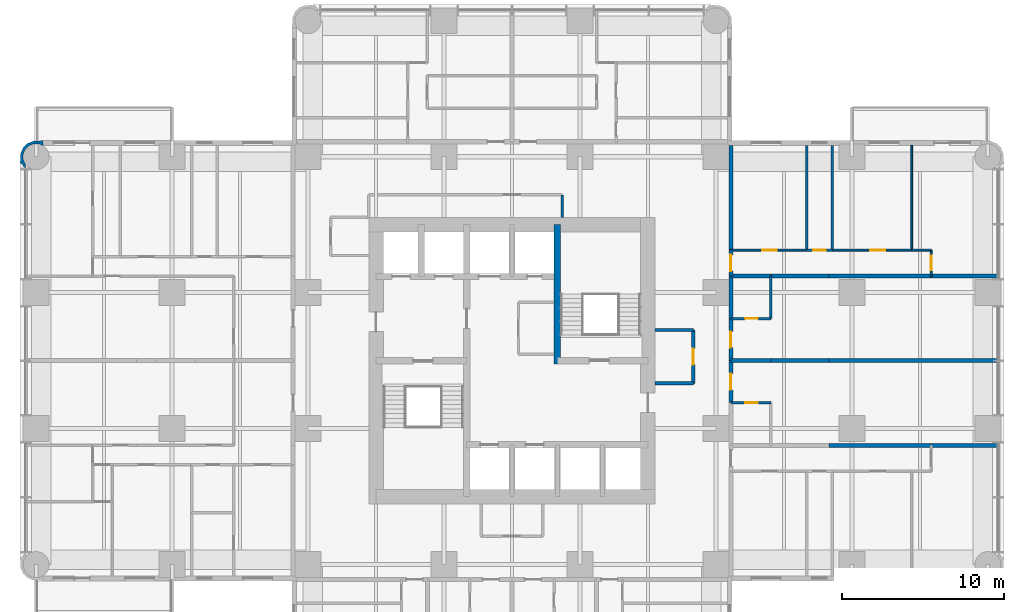
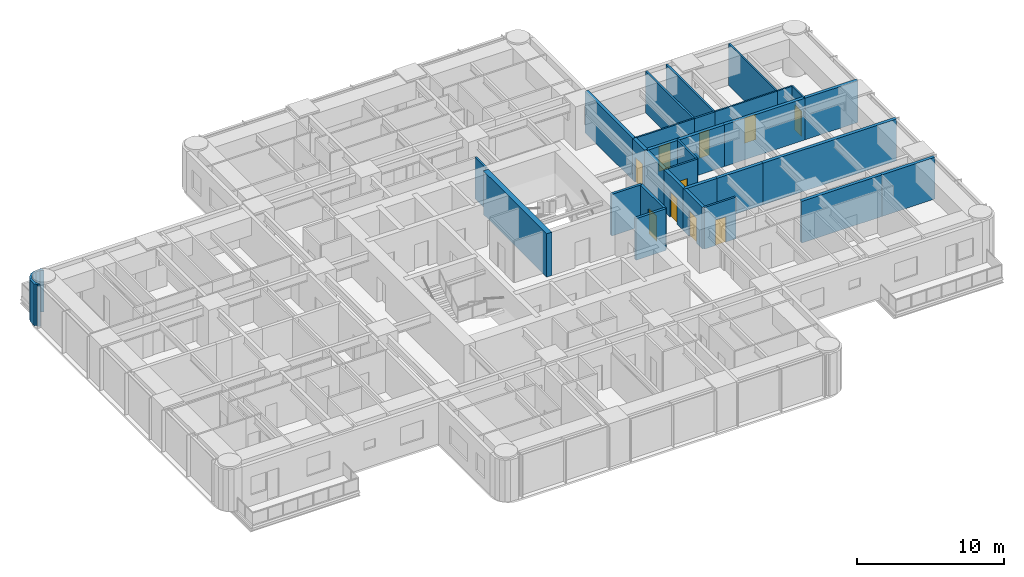
# One storey, part 10 of 14: 31 walls, 10 doors, 10 openings.
"""IFC4 building model written with IfcOpenShell, lengths in metres."""

import ifcopenshell
import ifcopenshell.guid

model = None  # the IFC model being written
_history = None  # IfcOwnerHistory: only IFC2X3 demands one
_inside = {}  # id of a spatial element -> (the spatial element, [elements in it])
_under = {}  # id of a project, library or spatial element -> (it, [spatial elements below it])
_declared = {}  # id of a project -> (the project, [libraries it declares])
_typed = {}  # id of a type object -> (the type object, [elements of that type])
_made_of = {}  # id of a material, layer set ... -> (it, [elements and type objects made of it])


def new_model(schema):
    """Start an empty IFC model of exactly this schema.

    Asked for "IFC4X3", IfcOpenShell would pick the latest addendum, in which some entities
    have other attributes; the version numbers below select the first issue.
    IFC2X3 requires an IfcOwnerHistory on every rooted entity: one is made here for all.
    """
    global model, _history
    if schema == "IFC4X3":
        model = ifcopenshell.file(schema_version=(4, 3, 0, 0))
    else:
        model = ifcopenshell.file(schema=schema)
    _inside.clear()
    _under.clear()
    _declared.clear()
    _typed.clear()
    _made_of.clear()
    _history = None
    if model.schema == "IFC2X3":
        org = make("IfcOrganization", Name="unknown")
        user = make(
            "IfcPersonAndOrganization",
            ThePerson=make("IfcPerson", FamilyName="unknown"),
            TheOrganization=org,
        )
        app = make(
            "IfcApplication",
            ApplicationDeveloper=org,
            Version="unknown",
            ApplicationFullName="unknown",
            ApplicationIdentifier="unknown",
        )
        _history = make(
            "IfcOwnerHistory",
            OwningUser=user,
            OwningApplication=app,
            ChangeAction="ADDED",
            CreationDate=0,
        )
    return model


def make(cls, **values):
    """One entity of the class cls with the attributes given. An attribute that is None is left unset."""
    return model.create_entity(
        cls, **{name: value for name, value in values.items() if value is not None}
    )


def rooted(cls, **values):
    """An entity with a GlobalId (a new one), such as an element, a storey or a relation."""
    return make(cls, GlobalId=ifcopenshell.guid.new(), OwnerHistory=_history, **values)


def si_unit(unit_type, name, prefix=None):
    """IfcSIUnit, for example si_unit("LENGTHUNIT", "METRE", prefix="MILLI")."""
    return make("IfcSIUnit", UnitType=unit_type, Prefix=prefix, Name=name)


def assignment(units):
    """IfcUnitAssignment: the units of a project."""
    return None if units is None else make("IfcUnitAssignment", Units=units)


def point(xyz):
    """IfcCartesianPoint."""
    return None if xyz is None else make("IfcCartesianPoint", Coordinates=xyz)


def direction(xyz):
    """IfcDirection."""
    return None if xyz is None else make("IfcDirection", DirectionRatios=xyz)


def frame(location, z_axis=None, x_axis=None):
    """IfcAxis2Placement3D, a coordinate frame: its origin and axes. An axis left out is left unset."""
    return make(
        "IfcAxis2Placement3D",
        Location=point(location),
        Axis=direction(z_axis),
        RefDirection=direction(x_axis),
    )


def frame_2d(location, x_axis=None):
    """IfcAxis2Placement2D, a coordinate frame in the plane: its origin and x axis."""
    return make(
        "IfcAxis2Placement2D", Location=point(location), RefDirection=direction(x_axis)
    )


def origin():
    """The frame at (0, 0, 0) with its axes left unset."""
    return frame((0.0, 0.0, 0.0))


def place(relative_to, where):
    """IfcLocalPlacement: puts the frame where relative to a parent placement (None: the world)."""
    return make(
        "IfcLocalPlacement", PlacementRelTo=relative_to, RelativePlacement=where
    )


def context(
    kind, dimensions, precision=None, world=None, true_north=None, identifier=None
):
    """IfcGeometricRepresentationContext, for example the 3D "Model" context."""
    return make(
        "IfcGeometricRepresentationContext",
        ContextIdentifier=identifier,
        ContextType=kind,
        CoordinateSpaceDimension=dimensions,
        Precision=precision,
        WorldCoordinateSystem=world,
        TrueNorth=true_north,
    )


def subcontext(parent, identifier, kind, view, scale=None):
    """IfcGeometricRepresentationSubContext, for example "Body" below "Model"."""
    return make(
        "IfcGeometricRepresentationSubContext",
        ContextIdentifier=identifier,
        ContextType=kind,
        ParentContext=parent,
        TargetScale=scale,
        TargetView=view,
    )


def project(units=None, contexts=None):
    """IfcProject with its units and contexts."""
    return rooted(
        "IfcProject",
        Name="project",
        RepresentationContexts=contexts,
        UnitsInContext=assignment(units),
    )


def spatial(cls, under=None, at=None, **own):
    """A site, building, storey or space (cls), placed at a placement, below another one or the project."""
    s = rooted(cls, ObjectPlacement=at, **own)
    if under is not None:
        _under.setdefault(under.id(), (under, []))[1].append(s)
    return s


def polyline(points):
    """IfcPolyline through the points."""
    return make("IfcPolyline", Points=[point(p) for p in points])


def profile(cls, at=None, kind="AREA", **sizes):
    """A parametric profile (cls). Its sizes go by their IFC names, for example OverallWidth=200.0."""
    return make(cls, ProfileType=kind, Position=at, **sizes)


def rectangle(**sizes):
    """IfcRectangleProfileDef."""
    return profile("IfcRectangleProfileDef", **sizes)


def outline(outer, holes=None, kind="AREA"):
    """IfcArbitraryClosedProfileDef: a profile drawn as a closed curve; with holes, ...WithVoids."""
    if holes is None:
        return make("IfcArbitraryClosedProfileDef", ProfileType=kind, OuterCurve=outer)
    return make(
        "IfcArbitraryProfileDefWithVoids",
        ProfileType=kind,
        OuterCurve=outer,
        InnerCurves=holes,
    )


def extrude(swept, where, along, depth):
    """IfcExtrudedAreaSolid: the profile swept, set in the frame where, extruded along a direction by depth."""
    return make(
        "IfcExtrudedAreaSolid",
        SweptArea=swept,
        Position=where,
        ExtrudedDirection=direction(along),
        Depth=depth,
    )


def shape(context_of_items, identifier, shape_type, items):
    """IfcShapeRepresentation: the items that make up one representation, for example the "Body"."""
    return make(
        "IfcShapeRepresentation",
        ContextOfItems=context_of_items,
        RepresentationIdentifier=identifier,
        RepresentationType=shape_type,
        Items=items,
    )


def material(Name=None, Category=None):
    """IfcMaterial."""
    return make("IfcMaterial", Name=Name, Category=Category)


def layer(
    of_material, thickness, ventilated=None, Name=None, Category=None, Priority=None
):
    """IfcMaterialLayer: one layer of a wall or slab, of a material (None: an air gap)."""
    return make(
        "IfcMaterialLayer",
        Material=of_material,
        LayerThickness=thickness,
        IsVentilated=ventilated,
        Name=Name,
        Category=Category,
        Priority=Priority,
    )


def layer_set(layers, Name=None):
    """IfcMaterialLayerSet."""
    return make("IfcMaterialLayerSet", MaterialLayers=layers, LayerSetName=Name)


def made_of(thing, what):
    """Note that an element or type object is made of a material, layer set ...; save() writes the relation."""
    if what is not None:
        _made_of.setdefault(what.id(), (what, []))[1].append(thing)
    return thing


def type_object(cls, material=None, **own):
    """A type object (cls), such as IfcWallType, which elements share."""
    return made_of(rooted(cls, **own), material)


def element(
    cls,
    number,
    at=None,
    inside=None,
    cuts=None,
    type_object=None,
    material=None,
    context=None,
    identifier="Body",
    shape_type=None,
    held_by="IfcProductDefinitionShape",
    body=None,
    shapes=None,
    **own,
):
    """One element of the class cls, such as IfcWall. Its Tag is "e" and its number.

    at: its placement. inside: the storey or other place that contains it. cuts: it is an
    opening in that element (IfcRelVoidsElement). A single representation is given by context,
    identifier, shape_type and body (its items); several are given by shapes. held_by: the class
    of the entity that holds the representations. save() writes the other relations.
    """
    e = rooted(cls, Tag="e%d" % number, ObjectPlacement=at, **own)
    if body is not None:
        shapes = [shape(context, identifier, shape_type, body)]
    if shapes is not None:
        e.Representation = make(held_by, Representations=shapes)
    if inside is not None:
        _inside.setdefault(inside.id(), (inside, []))[1].append(e)
    if cuts is not None:
        rooted(
            "IfcRelVoidsElement", RelatingBuildingElement=cuts, RelatedOpeningElement=e
        )
    if type_object is not None:
        _typed.setdefault(type_object.id(), (type_object, []))[1].append(e)
    return made_of(e, material)


def fill(opening, filler):
    """IfcRelFillsElement: the door or window that sits in an opening."""
    return rooted(
        "IfcRelFillsElement",
        RelatingOpeningElement=opening,
        RelatedBuildingElement=filler,
    )


def aggregate(whole, parts):
    """IfcRelAggregates: a whole, such as a stair, and the parts it consists of."""
    return rooted("IfcRelAggregates", RelatingObject=whole, RelatedObjects=parts)


def save(model, path):
    """Write the relations noted so far, then the file.

    IfcRelAggregates (storeys below a building ...), IfcRelContainedInSpatialStructure (elements
    in a storey), IfcRelDefinesByType, IfcRelAssociatesMaterial and IfcRelDeclares: one each for
    every whole, place, type object, material and project.
    """
    for whole, parts in _under.values():
        aggregate(whole, parts)
    for where, things in _inside.values():
        rooted(
            "IfcRelContainedInSpatialStructure",
            RelatedElements=things,
            RelatingStructure=where,
        )
    for kind, things in _typed.values():
        rooted("IfcRelDefinesByType", RelatedObjects=things, RelatingType=kind)
    for what, things in _made_of.values():
        rooted("IfcRelAssociatesMaterial", RelatedObjects=things, RelatingMaterial=what)
    for by, libraries in _declared.values():
        rooted("IfcRelDeclares", RelatingContext=by, RelatedDefinitions=libraries)
    model.write(path)


model = new_model("IFC4")

# Units and contexts
model_context = context("Model", 3, precision=1e-05, world=origin(), true_north=direction((0.0, 1.0)))
body_context = subcontext(model_context, "Body", "Model", "MODEL_VIEW")
ifc_project = project(units=[si_unit("LENGTHUNIT", "METRE"), si_unit("AREAUNIT", "SQUARE_METRE"), si_unit("VOLUMEUNIT", "CUBIC_METRE"), si_unit("PLANEANGLEUNIT", "RADIAN"), si_unit("MASSUNIT", "GRAM", prefix="KILO")], contexts=[model_context])

# Site, building, storey
site_placement = place(None, origin())
site = spatial("IfcSite", under=ifc_project, at=site_placement, CompositionType="ELEMENT")
building_placement = place(site_placement, origin())
building = spatial("IfcBuilding", under=site, at=building_placement, Name="Torre Alcanfor", CompositionType="ELEMENT")
storey_placement = place(building_placement, frame((0.0, 0.0, 159.300048828125)))
storey = spatial("IfcBuildingStorey", under=building, at=storey_placement, Name="L41", CompositionType="ELEMENT", Elevation=159.300048828125)

# Wall, opening, door
ifc_material_1 = material(Name="Concrete block masonry, hollow blocks NMX-C-404 9 MPa", Category="masonry")
ifc_layer_1 = layer(ifc_material_1, 0.25)
ifc_layer_set_1 = layer_set([ifc_layer_1], Name="Apartment entrance wall 250 EI 60")
wall_type_1 = type_object("IfcWallType", Name="Apartment entrance wall 250 EI 60", PredefinedType="PARTITIONING", material=ifc_layer_set_1)
wall_1_placement = place(storey_placement, frame((42.925048828125, 32.0, 0.0), z_axis=(0.0, 0.0, 1.0), x_axis=(0.0, -1.0, 0.0)))
wall_1 = element("IfcWall", 1, at=wall_1_placement, inside=storey, type_object=wall_type_1, Name="Partition L41-CORR / L41-E1A-FOYER", PredefinedType="PARTITIONING", context=body_context, shape_type="SweptSolid", body=[
    extrude(rectangle(XDim=2.60009765625, YDim=0.25, at=frame_2d((1.300048828125, 0.0))), origin(), (0.0, 0.0, 1.0), 3.449951171875),
])
opening_1_placement = place(wall_1_placement, frame((0.800048828125, 0.0, 0.0)))
opening_1 = element("IfcOpeningElement", 2, at=opening_1_placement, cuts=wall_1, Name="Opening D-A1", PredefinedType="OPENING", context=body_context, shape_type="SweptSolid", body=[
    extrude(rectangle(XDim=1.0, YDim=2.10009765625, at=frame_2d((0.5, 1.050048828125))), frame((0.0, 0.135009765625, 0.0), z_axis=(0.0, -1.0, 0.0), x_axis=(1.0, 0.0, 0.0)), (0.0, 0.0, 1.0), 0.27001953125),
])
ifc_material_2 = material(Name="Galvanised steel sheet ASTM A653", Category="steel")
door_type_1 = type_object("IfcDoorType", Name="Apartment entrance door FD60 1000x2100", OperationType="SINGLE_SWING_LEFT", PredefinedType="DOOR", material=ifc_material_2)
door_1_placement = place(opening_1_placement, origin())
door_1 = element("IfcDoor", 3, at=door_1_placement, inside=storey, type_object=door_type_1, Name="Apartment entrance L41-E1A", OperationType="SINGLE_SWING_LEFT", OverallHeight=2.10009765625, OverallWidth=1.0, PredefinedType="DOOR", context=body_context, shape_type="SweptSolid", body=[
    extrude(rectangle(XDim=1.0, YDim=2.10009765625, at=frame_2d((0.5, 1.050048828125))), frame((0.0, 0.02490234375, 0.0), z_axis=(0.0, -1.0, 0.0), x_axis=(1.0, 0.0, 0.0)), (0.0, 0.0, 1.0), 0.050048828125),
])
fill(opening_1, door_1)

# Wall
wall_2_placement = place(storey_placement, frame((42.925048828125, 34.62890625, 0.0), z_axis=(0.0, 0.0, 1.0), x_axis=(0.0, -1.0, 0.0)))
element("IfcWall", 4, at=wall_2_placement, inside=storey, type_object=wall_type_1, Name="Partition L41-CORR / L41-E1A-BATH", PredefinedType="PARTITIONING", context=body_context, shape_type="SweptSolid", body=[
    extrude(rectangle(XDim=2.62890625, YDim=0.25, at=frame_2d((1.314453125, 0.0))), origin(), (0.0, 0.0, 1.0), 3.449951171875),
])

# Wall, opening, door
wall_3_placement = place(storey_placement, frame((42.925048828125, 36.22900390625, 0.0), z_axis=(0.0, 0.0, 1.0), x_axis=(0.0, -1.0, 0.0)))
wall_3 = element("IfcWall", 5, at=wall_3_placement, inside=storey, type_object=wall_type_1, Name="Partition L41-CORR / L41-E1B-HALL", PredefinedType="PARTITIONING", context=body_context, shape_type="SweptSolid", body=[
    extrude(rectangle(XDim=1.60009765625, YDim=0.25, at=frame_2d((0.800048828125, 0.0))), origin(), (0.0, 0.0, 1.0), 3.449951171875),
])
opening_2_placement = place(wall_3_placement, frame((0.300048828125, 0.0, 0.0)))
opening_2 = element("IfcOpeningElement", 6, at=opening_2_placement, cuts=wall_3, Name="Opening D-A1", PredefinedType="OPENING", context=body_context, shape_type="SweptSolid", body=[
    extrude(rectangle(XDim=1.0, YDim=2.10009765625, at=frame_2d((0.5, 1.050048828125))), frame((0.0, 0.135009765625, 0.0), z_axis=(0.0, -1.0, 0.0), x_axis=(1.0, 0.0, 0.0)), (0.0, 0.0, 1.0), 0.27001953125),
])
door_2_placement = place(opening_2_placement, origin())
door_2 = element("IfcDoor", 7, at=door_2_placement, inside=storey, type_object=door_type_1, Name="Apartment entrance L41-E1B", OperationType="SINGLE_SWING_LEFT", OverallHeight=2.10009765625, OverallWidth=1.0, PredefinedType="DOOR", context=body_context, shape_type="SweptSolid", body=[
    extrude(rectangle(XDim=1.0, YDim=2.10009765625, at=frame_2d((0.5, 1.050048828125))), frame((0.0, 0.02490234375, 0.0), z_axis=(0.0, -1.0, 0.0), x_axis=(1.0, 0.0, 0.0)), (0.0, 0.0, 1.0), 0.050048828125),
])
fill(opening_2, door_2)

# Wall
wall_4_placement = place(storey_placement, frame((42.925048828125, 42.699951171875, 0.0), z_axis=(0.0, 0.0, 1.0), x_axis=(0.0, -1.0, 0.0)))
element("IfcWall", 8, at=wall_4_placement, inside=storey, type_object=wall_type_1, Name="Partition L41-CORR / L41-E1B-BED2", PredefinedType="PARTITIONING", context=body_context, shape_type="SweptSolid", body=[
    extrude(rectangle(XDim=6.470947265625, YDim=0.25, at=frame_2d((3.2353515625, 0.0))), origin(), (0.0, 0.0, 1.0), 3.449951171875),
])

# Wall, opening, door
wall_5_placement = place(storey_placement, frame((42.925048828125, 29.39990234375, 0.0), z_axis=(0.0, 0.0, 1.0), x_axis=(0.0, -1.0, 0.0)))
wall_5 = element("IfcWall", 9, at=wall_5_placement, inside=storey, type_object=wall_type_1, Name="Partition L41-CORR / L41-E2A-FOYER", PredefinedType="PARTITIONING", context=body_context, shape_type="SweptSolid", body=[
    extrude(rectangle(XDim=2.599853515625, YDim=0.25, at=frame_2d((1.2998046875, 0.0))), origin(), (0.0, 0.0, 1.0), 3.449951171875),
])
opening_3_placement = place(wall_5_placement, frame((0.800048828125, 0.0, 0.0)))
opening_3 = element("IfcOpeningElement", 10, at=opening_3_placement, cuts=wall_5, Name="Opening D-A1", PredefinedType="OPENING", context=body_context, shape_type="SweptSolid", body=[
    extrude(rectangle(XDim=1.0, YDim=2.10009765625, at=frame_2d((0.5, 1.050048828125))), frame((0.0, 0.135009765625, 0.0), z_axis=(0.0, -1.0, 0.0), x_axis=(1.0, 0.0, 0.0)), (0.0, 0.0, 1.0), 0.27001953125),
])
door_3_placement = place(opening_3_placement, origin())
door_3 = element("IfcDoor", 11, at=door_3_placement, inside=storey, type_object=door_type_1, Name="Apartment entrance L41-E2A", OperationType="SINGLE_SWING_LEFT", OverallHeight=2.10009765625, OverallWidth=1.0, PredefinedType="DOOR", context=body_context, shape_type="SweptSolid", body=[
    extrude(rectangle(XDim=1.0, YDim=2.10009765625, at=frame_2d((0.5, 1.050048828125))), frame((0.0, 0.02490234375, 0.0), z_axis=(0.0, -1.0, 0.0), x_axis=(1.0, 0.0, 0.0)), (0.0, 0.0, 1.0), 0.050048828125),
])
fill(opening_3, door_3)

ifc_material_3 = material(Name="Gypsum board on steel studs", Category="steel")
ifc_layer_2 = layer(ifc_material_3, 0.1201171875)
ifc_layer_set_2 = layer_set([ifc_layer_2], Name="Apartment partition 120")
wall_type_2 = type_object("IfcWallType", Name="Apartment partition 120", PredefinedType="PARTITIONING", material=ifc_layer_set_2)
wall_6_placement = place(storey_placement, frame((47.60009765625, 36.22900390625, 0.0), z_axis=(0.0, 0.0, 1.0), x_axis=(-1.0, 0.0, 0.0)))
wall_6 = element("IfcWall", 12, at=wall_6_placement, inside=storey, type_object=wall_type_2, Name="Partition L41-E1B-HALL / L41-E1B-BED2", PredefinedType="PARTITIONING", context=body_context, shape_type="SweptSolid", body=[
    extrude(rectangle(XDim=4.675048828125, YDim=0.1201171875, at=frame_2d((2.33740234375, 0.0))), origin(), (0.0, 0.0, 1.0), 3.449951171875),
])
opening_4_placement = place(wall_6_placement, frame((1.85009765625, 0.0, 0.0)))
opening_4 = element("IfcOpeningElement", 13, at=opening_4_placement, cuts=wall_6, Name="Opening D-R1", PredefinedType="OPENING", context=body_context, shape_type="SweptSolid", body=[
    extrude(rectangle(XDim=0.89990234375, YDim=2.10009765625, at=frame_2d((0.449951171875, 1.050048828125))), frame((0.0, 0.070068359375, 0.0), z_axis=(0.0, -1.0, 0.0), x_axis=(1.0, 0.0, 0.0)), (0.0, 0.0, 1.0), 0.14013671875),
])
ifc_material_4 = material(Name="Timber", Category="wood")
door_type_2 = type_object("IfcDoorType", Name="Internal door 900x2100", OperationType="SINGLE_SWING_LEFT", PredefinedType="DOOR", material=ifc_material_4)
door_4_placement = place(opening_4_placement, frame((0.89990234375, 0.0, 0.0), z_axis=(0.0, 0.0, 1.0), x_axis=(-1.0, 0.0, 0.0)))
door_4 = element("IfcDoor", 14, at=door_4_placement, inside=storey, type_object=door_type_2, Name="Door L41-E1B bed2", OperationType="SINGLE_SWING_RIGHT", OverallHeight=2.10009765625, OverallWidth=0.89990234375, PredefinedType="DOOR", context=body_context, shape_type="SweptSolid", body=[
    extrude(rectangle(XDim=0.89990234375, YDim=2.10009765625, at=frame_2d((0.449951171875, 1.050048828125))), frame((0.0, 0.025146484375, 0.0), z_axis=(0.0, -1.0, 0.0), x_axis=(1.0, 0.0, 0.0)), (0.0, 0.0, 1.0), 0.050048828125),
])
fill(opening_4, door_4)

wall_7_placement = place(storey_placement, frame((54.10009765625, 36.22900390625, 0.0), z_axis=(0.0, 0.0, 1.0), x_axis=(-1.0, 0.0, 0.0)))
wall_7 = element("IfcWall", 15, at=wall_7_placement, inside=storey, type_object=wall_type_2, Name="Partition L41-E1B-HALL / L41-E1B-MASTER", PredefinedType="PARTITIONING", context=body_context, shape_type="SweptSolid", body=[
    extrude(rectangle(XDim=4.900146484375, YDim=0.1201171875, at=frame_2d((2.4501953125, 0.0))), origin(), (0.0, 0.0, 1.0), 3.449951171875),
])
opening_5_placement = place(wall_7_placement, frame((1.64990234375, 0.0, 0.0)))
opening_5 = element("IfcOpeningElement", 16, at=opening_5_placement, cuts=wall_7, Name="Opening D-R1", PredefinedType="OPENING", context=body_context, shape_type="SweptSolid", body=[
    extrude(rectangle(XDim=0.89990234375, YDim=2.10009765625, at=frame_2d((0.449951171875, 1.050048828125))), frame((0.0, 0.070068359375, 0.0), z_axis=(0.0, -1.0, 0.0), x_axis=(1.0, 0.0, 0.0)), (0.0, 0.0, 1.0), 0.14013671875),
])
door_5_placement = place(opening_5_placement, frame((0.89990234375, 0.0, 0.0), z_axis=(0.0, 0.0, 1.0), x_axis=(-1.0, 0.0, 0.0)))
door_5 = element("IfcDoor", 17, at=door_5_placement, inside=storey, type_object=door_type_2, Name="Door L41-E1B master", OperationType="SINGLE_SWING_RIGHT", OverallHeight=2.10009765625, OverallWidth=0.89990234375, PredefinedType="DOOR", context=body_context, shape_type="SweptSolid", body=[
    extrude(rectangle(XDim=0.89990234375, YDim=2.10009765625, at=frame_2d((0.449951171875, 1.050048828125))), frame((0.0, 0.025146484375, 0.0), z_axis=(0.0, -1.0, 0.0), x_axis=(1.0, 0.0, 0.0)), (0.0, 0.0, 1.0), 0.050048828125),
])
fill(opening_5, door_5)

# Wall
wall_8_placement = place(storey_placement, frame((55.300048828125, 36.22900390625, 0.0), z_axis=(0.0, 0.0, 1.0), x_axis=(-1.0, 0.0, 0.0)))
element("IfcWall", 18, at=wall_8_placement, inside=storey, type_object=wall_type_2, Name="Partition L41-E1B-HALL / L41-E1B-KITCHEN", PredefinedType="PARTITIONING", context=body_context, shape_type="SweptSolid", body=[
    extrude(rectangle(XDim=1.199951171875, YDim=0.1201171875, at=frame_2d((0.60009765625, 0.0))), origin(), (0.0, 0.0, 1.0), 3.449951171875),
])

# Wall, opening, door
wall_9_placement = place(storey_placement, frame((55.300048828125, 34.62890625, 0.0), z_axis=(0.0, 0.0, 1.0), x_axis=(0.0, 1.0, 0.0)))
wall_9 = element("IfcWall", 19, at=wall_9_placement, inside=storey, type_object=wall_type_2, Name="Partition L41-E1B-HALL / L41-E1B-LIVING", PredefinedType="PARTITIONING", context=body_context, shape_type="SweptSolid", body=[
    extrude(rectangle(XDim=1.60009765625, YDim=0.1201171875, at=frame_2d((0.800048828125, 0.0))), origin(), (0.0, 0.0, 1.0), 3.449951171875),
])
opening_6_placement = place(wall_9_placement, frame((0.35009765625, 0.0, 0.0)))
opening_6 = element("IfcOpeningElement", 20, at=opening_6_placement, cuts=wall_9, Name="Opening D-R1", PredefinedType="OPENING", context=body_context, shape_type="SweptSolid", body=[
    extrude(rectangle(XDim=0.89990234375, YDim=2.10009765625, at=frame_2d((0.449951171875, 1.050048828125))), frame((0.0, 0.070068359375, 0.0), z_axis=(0.0, -1.0, 0.0), x_axis=(1.0, 0.0, 0.0)), (0.0, 0.0, 1.0), 0.14013671875),
])
door_6_placement = place(opening_6_placement, frame((0.89990234375, 0.0, 0.0), z_axis=(0.0, 0.0, 1.0), x_axis=(-1.0, 0.0, 0.0)))
door_6 = element("IfcDoor", 21, at=door_6_placement, inside=storey, type_object=door_type_2, Name="Door L41-E1B living", OperationType="SINGLE_SWING_RIGHT", OverallHeight=2.10009765625, OverallWidth=0.89990234375, PredefinedType="DOOR", context=body_context, shape_type="SweptSolid", body=[
    extrude(rectangle(XDim=0.89990234375, YDim=2.10009765625, at=frame_2d((0.449951171875, 1.050048828125))), frame((0.0, 0.025146484375, 0.0), z_axis=(0.0, -1.0, 0.0), x_axis=(1.0, 0.0, 0.0)), (0.0, 0.0, 1.0), 0.050048828125),
])
fill(opening_6, door_6)

# Walls
wall_10_placement = place(storey_placement, frame((54.10009765625, 36.22900390625, 0.0), z_axis=(0.0, 0.0, 1.0), x_axis=(0.0, 1.0, 0.0)))
element("IfcWall", 22, at=wall_10_placement, inside=storey, type_object=wall_type_2, Name="Partition L41-E1B-MASTER / L41-E1B-KITCHEN", PredefinedType="PARTITIONING", context=body_context, shape_type="SweptSolid", body=[
    extrude(rectangle(XDim=6.470947265625, YDim=0.1201171875, at=frame_2d((3.2353515625, 0.0))), origin(), (0.0, 0.0, 1.0), 3.449951171875),
])
ifc_material_5 = material(Name="Concrete f'c 70 MPa", Category="concrete")
ifc_layer_3 = layer(ifc_material_5, 0.39990234375)
ifc_layer_set_3 = layer_set([ifc_layer_3], Name="Core inner wall 400 f'c70")
wall_type_3 = type_object("IfcWallType", Name="Core inner wall 400 f'c70", PredefinedType="SHEAR", material=ifc_layer_set_3)
wall_11_placement = place(storey_placement, frame((32.199951171875, 29.199951171875, 0.0), z_axis=(0.0, 0.0, 1.0), x_axis=(0.0, 1.0, 0.0)))
element("IfcWall", 23, at=wall_11_placement, inside=storey, type_object=wall_type_3, Name="Core wall X322N L41", PredefinedType="SHEAR", context=body_context, shape_type="SweptSolid", body=[
    extrude(rectangle(XDim=8.60009765625, YDim=0.39990234375, at=frame_2d((4.300048828125, 0.0))), origin(), (0.0, 0.0, 1.0), 3.599853515625),
])
ifc_material_6 = material(Name="Concrete block masonry, hollow blocks NMX-C-404 9 MPa", Category="masonry")
ifc_layer_4 = layer(ifc_material_6, 0.25)
ifc_layer_set_4 = layer_set([ifc_layer_4], Name="Party wall 250 EI 60")
wall_type_4 = type_object("IfcWallType", Name="Party wall 250 EI 60", PredefinedType="PARTITIONING", material=ifc_layer_set_4)
for number, where, z_axis, x_axis, name in (
    (24, (42.925048828125, 29.39990234375, 0.0), (0.0, 0.0, 1.0), (1.0, 0.0, 0.0), "Partition L41-E1A-FOYER / L41-E2A-FOYER"),
    (25, (45.39990234375, 34.62890625, 0.0), (0.0, 0.0, 1.0), (-1.0, 0.0, 0.0), "Partition L41-E1A-BATH / L41-E1B-HALL"),
):
    element("IfcWall", number, at=place(storey_placement, frame(where, z_axis=z_axis, x_axis=x_axis)), inside=storey, type_object=wall_type_4, Name=name, PredefinedType="PARTITIONING", context=body_context, shape_type="SweptSolid", body=[
        extrude(rectangle(XDim=2.474853515625, YDim=0.25, at=frame_2d((1.2373046875, 0.0))), origin(), (0.0, 0.0, 1.0), 3.449951171875),
    ])
for number, where, z_axis, x_axis, name in (
    (26, (49.0, 34.62890625, 0.0), (0.0, 0.0, 1.0), (-1.0, 0.0, 0.0), "Partition L41-E1A-KITCHEN / L41-E1B-HALL"),
    (27, (45.39990234375, 29.39990234375, 0.0), (0.0, 0.0, 1.0), (1.0, 0.0, 0.0), "Partition L41-E1A-KITCHEN / L41-E2A-KITCHEN"),
):
    element("IfcWall", number, at=place(storey_placement, frame(where, z_axis=z_axis, x_axis=x_axis)), inside=storey, type_object=wall_type_4, Name=name, PredefinedType="PARTITIONING", context=body_context, shape_type="SweptSolid", body=[
        extrude(rectangle(XDim=3.60009765625, YDim=0.25, at=frame_2d((1.800048828125, 0.0))), origin(), (0.0, 0.0, 1.0), 3.449951171875),
    ])
wall_12_placement = place(storey_placement, frame((55.300048828125, 34.62890625, 0.0), z_axis=(0.0, 0.0, 1.0), x_axis=(-1.0, 0.0, 0.0)))
element("IfcWall", 28, at=wall_12_placement, inside=storey, type_object=wall_type_4, Name="Partition L41-E1A-STUDIO / L41-E1B-HALL", PredefinedType="PARTITIONING", context=body_context, shape_type="SweptSolid", body=[
    extrude(rectangle(XDim=6.300048828125, YDim=0.25, at=frame_2d((3.14990234375, 0.0))), origin(), (0.0, 0.0, 1.0), 3.449951171875),
])
wall_13_placement = place(storey_placement, frame((59.449951171875, 34.62890625, 0.0), z_axis=(0.0, 0.0, 1.0), x_axis=(-1.0, 0.0, 0.0)))
element("IfcWall", 29, at=wall_13_placement, inside=storey, type_object=wall_type_4, Name="Partition L41-E1A-STUDIO / L41-E1B-LIVING", PredefinedType="PARTITIONING", context=body_context, shape_type="SweptSolid", body=[
    extrude(rectangle(XDim=4.14990234375, YDim=0.25, at=frame_2d((2.074951171875, 0.0))), origin(), (0.0, 0.0, 1.0), 3.449951171875),
])
wall_14_placement = place(storey_placement, frame((49.0, 29.39990234375, 0.0), z_axis=(0.0, 0.0, 1.0), x_axis=(1.0, 0.0, 0.0)))
element("IfcWall", 30, at=wall_14_placement, inside=storey, type_object=wall_type_4, Name="Partition L41-E1A-STUDIO / L41-E2A-STUDIO", PredefinedType="PARTITIONING", context=body_context, shape_type="SweptSolid", body=[
    extrude(rectangle(XDim=10.449951171875, YDim=0.25, at=frame_2d((5.22509765625, 0.0))), origin(), (0.0, 0.0, 1.0), 3.449951171875),
])
wall_15_placement = place(storey_placement, frame((55.300048828125, 24.1708984375, 0.0), z_axis=(0.0, 0.0, 1.0), x_axis=(-1.0, 0.0, 0.0)))
element("IfcWall", 31, at=wall_15_placement, inside=storey, type_object=wall_type_4, Name="Partition L41-E2A-STUDIO / L41-E2B-HALL", PredefinedType="PARTITIONING", context=body_context, shape_type="SweptSolid", body=[
    extrude(rectangle(XDim=6.300048828125, YDim=0.25, at=frame_2d((3.14990234375, 0.0))), origin(), (0.0, 0.0, 1.0), 3.449951171875),
])
wall_16_placement = place(storey_placement, frame((59.449951171875, 24.1708984375, 0.0), z_axis=(0.0, 0.0, 1.0), x_axis=(-1.0, 0.0, 0.0)))
element("IfcWall", 32, at=wall_16_placement, inside=storey, type_object=wall_type_4, Name="Partition L41-E2A-STUDIO / L41-E2B-LIVING", PredefinedType="PARTITIONING", context=body_context, shape_type="SweptSolid", body=[
    extrude(rectangle(XDim=4.14990234375, YDim=0.25, at=frame_2d((2.074951171875, 0.0))), origin(), (0.0, 0.0, 1.0), 3.449951171875),
])
ifc_material_7 = material(Name="Concrete block masonry, hollow blocks NMX-C-404 9 MPa", Category="masonry")
ifc_layer_5 = layer(ifc_material_7, 0.199951171875)
ifc_layer_set_5 = layer_set([ifc_layer_5], Name="Plant room wall 200 EI 60")
wall_type_5 = type_object("IfcWallType", Name="Plant room wall 200 EI 60", PredefinedType="PARTITIONING", material=ifc_layer_set_5)
wall_17_placement = place(storey_placement, frame((38.25, 28.0, 0.0), z_axis=(0.0, 0.0, 1.0), x_axis=(1.0, 0.0, 0.0)))
element("IfcWall", 33, at=wall_17_placement, inside=storey, type_object=wall_type_5, Name="Partition L41-CORR / L41-G02", PredefinedType="PARTITIONING", context=body_context, shape_type="SweptSolid", body=[
    extrude(rectangle(XDim=2.35009765625, YDim=0.199951171875, at=frame_2d((1.175048828125, 0.0))), origin(), (0.0, 0.0, 1.0), 3.449951171875),
])

# Wall, opening, door
wall_18_placement = place(storey_placement, frame((40.60009765625, 28.0, 0.0), z_axis=(0.0, 0.0, 1.0), x_axis=(0.0, 1.0, 0.0)))
wall_18 = element("IfcWall", 34, at=wall_18_placement, inside=storey, type_object=wall_type_5, Name="Partition L41-CORR / L41-G02", PredefinedType="PARTITIONING", context=body_context, shape_type="SweptSolid", body=[
    extrude(rectangle(XDim=3.300048828125, YDim=0.199951171875, at=frame_2d((1.64990234375, 0.0))), origin(), (0.0, 0.0, 1.0), 3.449951171875),
])
opening_7_placement = place(wall_18_placement, frame((1.14990234375, 0.0, 0.0)))
opening_7 = element("IfcOpeningElement", 35, at=opening_7_placement, cuts=wall_18, Name="Opening D-K1", PredefinedType="OPENING", context=body_context, shape_type="SweptSolid", body=[
    extrude(rectangle(XDim=1.0, YDim=2.10009765625, at=frame_2d((0.5, 1.050048828125))), frame((0.0, 0.10986328125, 0.0), z_axis=(0.0, -1.0, 0.0), x_axis=(1.0, 0.0, 0.0)), (0.0, 0.0, 1.0), 0.219970703125),
])
ifc_material_8 = material(Name="Galvanised steel sheet ASTM A653", Category="steel")
door_type_3 = type_object("IfcDoorType", Name="Core room door FD60 1000x2100", OperationType="SINGLE_SWING_LEFT", PredefinedType="DOOR", material=ifc_material_8)
door_7_placement = place(opening_7_placement, origin())
door_7 = element("IfcDoor", 36, at=door_7_placement, inside=storey, type_object=door_type_3, Name="Door L41-G02 refuse and recycling store", OperationType="SINGLE_SWING_LEFT", OverallHeight=2.10009765625, OverallWidth=1.0, PredefinedType="DOOR", context=body_context, shape_type="SweptSolid", body=[
    extrude(rectangle(XDim=1.0, YDim=2.10009765625, at=frame_2d((0.5, 1.050048828125))), frame((0.0, 0.02490234375, 0.0), z_axis=(0.0, -1.0, 0.0), x_axis=(1.0, 0.0, 0.0)), (0.0, 0.0, 1.0), 0.050048828125),
])
fill(opening_7, door_7)

# Walls
wall_19_placement = place(storey_placement, frame((40.60009765625, 31.300048828125, 0.0), z_axis=(0.0, 0.0, 1.0), x_axis=(-1.0, 0.0, 0.0)))
element("IfcWall", 37, at=wall_19_placement, inside=storey, type_object=wall_type_5, Name="Partition L41-CORR / L41-G02", PredefinedType="PARTITIONING", context=body_context, shape_type="SweptSolid", body=[
    extrude(rectangle(XDim=2.35009765625, YDim=0.199951171875, at=frame_2d((1.175048828125, 0.0))), origin(), (0.0, 0.0, 1.0), 3.449951171875),
])
ifc_material_9 = material(Name="Concrete block masonry, hollow blocks NMX-C-404 9 MPa", Category="masonry")
ifc_layer_6 = layer(ifc_material_9, 0.14990234375)
ifc_layer_set_6 = layer_set([ifc_layer_6], Name="Residents' room partition 150")
wall_type_6 = type_object("IfcWallType", Name="Residents' room partition 150", PredefinedType="PARTITIONING", material=ifc_layer_set_6)
wall_20_placement = place(storey_placement, frame((32.5, 38.25, 0.0), z_axis=(0.0, 0.0, 1.0), x_axis=(0.0, 1.0, 0.0)))
element("IfcWall", 38, at=wall_20_placement, inside=storey, type_object=wall_type_6, Name="Partition L41-CORR / L41-G01", PredefinedType="PARTITIONING", context=body_context, shape_type="SweptSolid", body=[
    extrude(rectangle(XDim=1.39990234375, YDim=0.14990234375, at=frame_2d((0.699951171875, 0.0))), origin(), (0.0, 0.0, 1.0), 3.449951171875),
])
ifc_material_10 = material(Name="Limestone cladding", Category="masonry")
ifc_layer_7 = layer(ifc_material_10, 0.0400390625, Name="Facing")
ifc_material_11 = material(Name="Ventilated air cavity")
ifc_layer_8 = layer(ifc_material_11, 0.02001953125, ventilated=True, Name="Ventilated joint")
ifc_material_12 = material(Name="Mineral wool insulation", Category="insulation")
ifc_layer_9 = layer(ifc_material_12, 0.10009765625, Name="Insulation")
ifc_material_13 = material(Name="Concrete f'c 35 MPa", Category="concrete")
ifc_layer_10 = layer(ifc_material_13, 0.139892578125, Name="Backing")
ifc_layer_set_7 = layer_set([ifc_layer_7, ifc_layer_8, ifc_layer_9, ifc_layer_10], Name="Rounded corner pier stone-clad 300")
wall_type_7 = type_object("IfcWallType", Name="Rounded corner pier stone-clad 300", PredefinedType="SOLIDWALL", material=ifc_layer_set_7)
wall_21_placement = place(storey_placement, frame((0.326823795, 42.817059488, 0.0), z_axis=(0.0, 0.0, 1.0), x_axis=(-0.93923434088, 0.343276641956, 0.0)))
element("IfcWall", 39, at=wall_21_placement, inside=storey, type_object=wall_type_7, Name="Corner pier L41 13", PredefinedType="SOLIDWALL", context=body_context, shape_type="SweptSolid", body=[
    extrude(outline(polyline([(-0.005838677930572508, -0.19691017002240385), (0.2656725893480827, -0.05504723679548061), (0.5353355739365452, 0.04351070532859805), (0.8164808166219237, 0.3019667887790936), (0.9774010351300944, 0.6482698031873169), (0.9936526519661447, 1.0298167590229048), (0.8950947098420661, 1.2994797436113674), (0.8284439015683875, 1.5984799607341533), (0.6967504599124257, 1.5690632792769885), (0.6041212101125378, 1.6695954267902182), (0.39402236502400456, 1.7672242392847775), (0.4711255170258348, 1.5562634010012864), (0.5086990809760941, 1.538803702790635), (0.7241945805605172, 1.30408163961566), (0.8334799177457201, 1.0050675818747117), (0.8201287688443563, 0.6867053603325339), (0.6856890926223405, 0.3973889179155373), (0.4509670294473655, 0.1818934183311141), (0.15195297170641725, 0.07260808114591123), (-0.11630424425966698, 0.08399689688883538), (-0.12741215805145528, 0.07811756360614214), (-0.14598588403076265, 0.07132913391902448), (-0.005838677930572508, -0.19691017002240385)])), origin(), (0.0, 0.0, 1.0), 3.449951171875),
])

# Wall, opening, door
ifc_material_14 = material(Name="Cement board on steel studs", Category="steel")
ifc_layer_11 = layer(ifc_material_14, 0.14990234375)
ifc_layer_set_8 = layer_set([ifc_layer_11], Name="Wet area partition 150")
wall_type_8 = type_object("IfcWallType", Name="Wet area partition 150", PredefinedType="PARTITIONING", material=ifc_layer_set_8)
wall_22_placement = place(storey_placement, frame((45.39990234375, 32.0, 0.0), z_axis=(0.0, 0.0, 1.0), x_axis=(-1.0, 0.0, 0.0)))
wall_22 = element("IfcWall", 40, at=wall_22_placement, inside=storey, type_object=wall_type_8, Name="Partition L41-E1A-FOYER / L41-E1A-BATH", PredefinedType="PARTITIONING", context=body_context, shape_type="SweptSolid", body=[
    extrude(rectangle(XDim=2.474853515625, YDim=0.14990234375, at=frame_2d((1.2373046875, 0.0))), origin(), (0.0, 0.0, 1.0), 3.449951171875),
])
opening_8_placement = place(wall_22_placement, frame((0.800048828125, 0.0, 0.0)))
opening_8 = element("IfcOpeningElement", 41, at=opening_8_placement, cuts=wall_22, Name="Opening D-R2", PredefinedType="OPENING", context=body_context, shape_type="SweptSolid", body=[
    extrude(rectangle(XDim=0.800048828125, YDim=2.10009765625, at=frame_2d((0.39990234375, 1.050048828125))), frame((0.0, 0.0849609375, 0.0), z_axis=(0.0, -1.0, 0.0), x_axis=(1.0, 0.0, 0.0)), (0.0, 0.0, 1.0), 0.169921875),
])
ifc_material_15 = material(Name="Timber", Category="wood")
door_type_4 = type_object("IfcDoorType", Name="Bathroom door 800x2100", OperationType="SINGLE_SWING_LEFT", PredefinedType="DOOR", material=ifc_material_15)
door_8_placement = place(opening_8_placement, frame((0.800048828125, 0.0, 0.0), z_axis=(0.0, 0.0, 1.0), x_axis=(-1.0, 0.0, 0.0)))
door_8 = element("IfcDoor", 42, at=door_8_placement, inside=storey, type_object=door_type_4, Name="Door L41-E1A bath", OperationType="SINGLE_SWING_RIGHT", OverallHeight=2.10009765625, OverallWidth=0.800048828125, PredefinedType="DOOR", context=body_context, shape_type="SweptSolid", body=[
    extrude(rectangle(XDim=0.800048828125, YDim=2.10009765625, at=frame_2d((0.400146484375, 1.050048828125))), frame((0.0, 0.025146484375, 0.0), z_axis=(0.0, -1.0, 0.0), x_axis=(1.0, 0.0, 0.0)), (0.0, 0.0, 1.0), 0.050048828125),
])
fill(opening_8, door_8)

# Wall
wall_23_placement = place(storey_placement, frame((45.39990234375, 32.0, 0.0), z_axis=(0.0, 0.0, 1.0), x_axis=(0.0, 1.0, 0.0)))
element("IfcWall", 43, at=wall_23_placement, inside=storey, type_object=wall_type_8, Name="Partition L41-E1A-BATH / L41-E1A-KITCHEN", PredefinedType="PARTITIONING", context=body_context, shape_type="SweptSolid", body=[
    extrude(rectangle(XDim=2.62890625, YDim=0.14990234375, at=frame_2d((1.314453125, 0.0))), origin(), (0.0, 0.0, 1.0), 3.449951171875),
])

# Wall, opening, door
wall_24_placement = place(storey_placement, frame((49.199951171875, 36.22900390625, 0.0), z_axis=(0.0, 0.0, 1.0), x_axis=(-1.0, 0.0, 0.0)))
wall_24 = element("IfcWall", 44, at=wall_24_placement, inside=storey, type_object=wall_type_8, Name="Partition L41-E1B-HALL / L41-E1B-BATH", PredefinedType="PARTITIONING", context=body_context, shape_type="SweptSolid", body=[
    extrude(rectangle(XDim=1.599853515625, YDim=0.14990234375, at=frame_2d((0.7998046875, 0.0))), origin(), (0.0, 0.0, 1.0), 3.449951171875),
])
opening_9_placement = place(wall_24_placement, frame((0.39990234375, 0.0, 0.0)))
opening_9 = element("IfcOpeningElement", 45, at=opening_9_placement, cuts=wall_24, Name="Opening D-R2", PredefinedType="OPENING", context=body_context, shape_type="SweptSolid", body=[
    extrude(rectangle(XDim=0.800048828125, YDim=2.10009765625, at=frame_2d((0.39990234375, 1.050048828125))), frame((0.0, 0.0849609375, 0.0), z_axis=(0.0, -1.0, 0.0), x_axis=(1.0, 0.0, 0.0)), (0.0, 0.0, 1.0), 0.169921875),
])
door_9_placement = place(opening_9_placement, frame((0.800048828125, 0.0, 0.0), z_axis=(0.0, 0.0, 1.0), x_axis=(-1.0, 0.0, 0.0)))
door_9 = element("IfcDoor", 46, at=door_9_placement, inside=storey, type_object=door_type_4, Name="Door L41-E1B bath", OperationType="SINGLE_SWING_RIGHT", OverallHeight=2.10009765625, OverallWidth=0.800048828125, PredefinedType="DOOR", context=body_context, shape_type="SweptSolid", body=[
    extrude(rectangle(XDim=0.800048828125, YDim=2.10009765625, at=frame_2d((0.400146484375, 1.050048828125))), frame((0.0, 0.025146484375, 0.0), z_axis=(0.0, -1.0, 0.0), x_axis=(1.0, 0.0, 0.0)), (0.0, 0.0, 1.0), 0.050048828125),
])
fill(opening_9, door_9)

# Walls
for number, where, z_axis, x_axis, name in (
    (47, (47.60009765625, 36.22900390625, 0.0), (0.0, 0.0, 1.0), (0.0, 1.0, 0.0), "Partition L41-E1B-BED2 / L41-E1B-BATH"),
    (48, (49.199951171875, 36.22900390625, 0.0), (0.0, 0.0, 1.0), (0.0, 1.0, 0.0), "Partition L41-E1B-BATH / L41-E1B-MASTER"),
):
    element("IfcWall", number, at=place(storey_placement, frame(where, z_axis=z_axis, x_axis=x_axis)), inside=storey, type_object=wall_type_8, Name=name, PredefinedType="PARTITIONING", context=body_context, shape_type="SweptSolid", body=[
        extrude(rectangle(XDim=6.470947265625, YDim=0.14990234375, at=frame_2d((3.2353515625, 0.0))), origin(), (0.0, 0.0, 1.0), 3.449951171875),
    ])

# Wall, opening, door
wall_25_placement = place(storey_placement, frame((45.39990234375, 26.800048828125, 0.0), z_axis=(0.0, 0.0, 1.0), x_axis=(-1.0, 0.0, 0.0)))
wall_25 = element("IfcWall", 49, at=wall_25_placement, inside=storey, type_object=wall_type_8, Name="Partition L41-E2A-FOYER / L41-E2A-BATH", PredefinedType="PARTITIONING", context=body_context, shape_type="SweptSolid", body=[
    extrude(rectangle(XDim=2.474853515625, YDim=0.14990234375, at=frame_2d((1.2373046875, 0.0))), origin(), (0.0, 0.0, 1.0), 3.449951171875),
])
opening_10_placement = place(wall_25_placement, frame((0.800048828125, 0.0, 0.0)))
opening_10 = element("IfcOpeningElement", 50, at=opening_10_placement, cuts=wall_25, Name="Opening D-R2", PredefinedType="OPENING", context=body_context, shape_type="SweptSolid", body=[
    extrude(rectangle(XDim=0.800048828125, YDim=2.10009765625, at=frame_2d((0.39990234375, 1.050048828125))), frame((0.0, 0.0849609375, 0.0), z_axis=(0.0, -1.0, 0.0), x_axis=(1.0, 0.0, 0.0)), (0.0, 0.0, 1.0), 0.169921875),
])
door_10_placement = place(opening_10_placement, origin())
door_10 = element("IfcDoor", 51, at=door_10_placement, inside=storey, type_object=door_type_4, Name="Door L41-E2A bath", OperationType="SINGLE_SWING_LEFT", OverallHeight=2.10009765625, OverallWidth=0.800048828125, PredefinedType="DOOR", context=body_context, shape_type="SweptSolid", body=[
    extrude(rectangle(XDim=0.800048828125, YDim=2.10009765625, at=frame_2d((0.39990234375, 1.050048828125))), frame((0.0, 0.02490234375, 0.0), z_axis=(0.0, -1.0, 0.0), x_axis=(1.0, 0.0, 0.0)), (0.0, 0.0, 1.0), 0.050048828125),
])
fill(opening_10, door_10)

save(model, "model.ifc")
